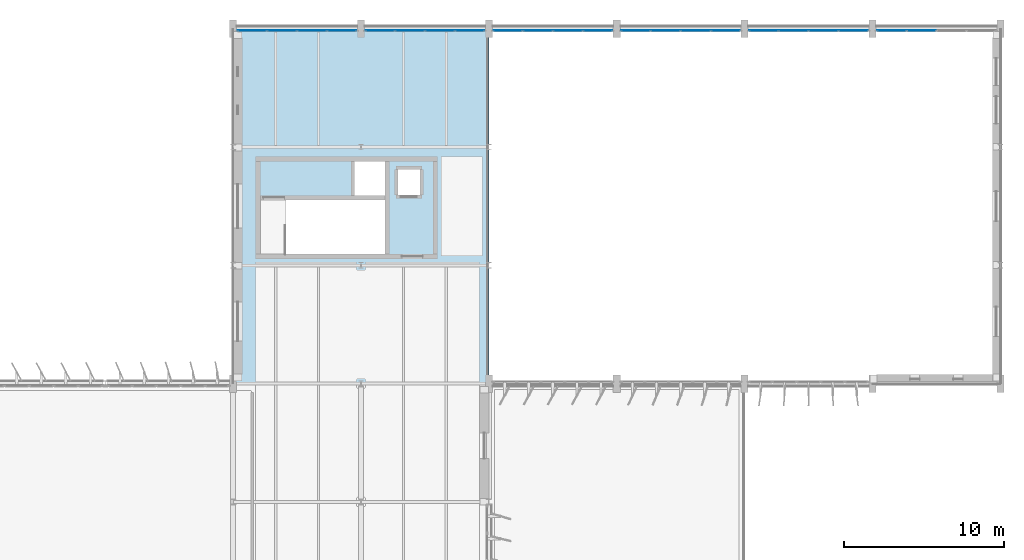
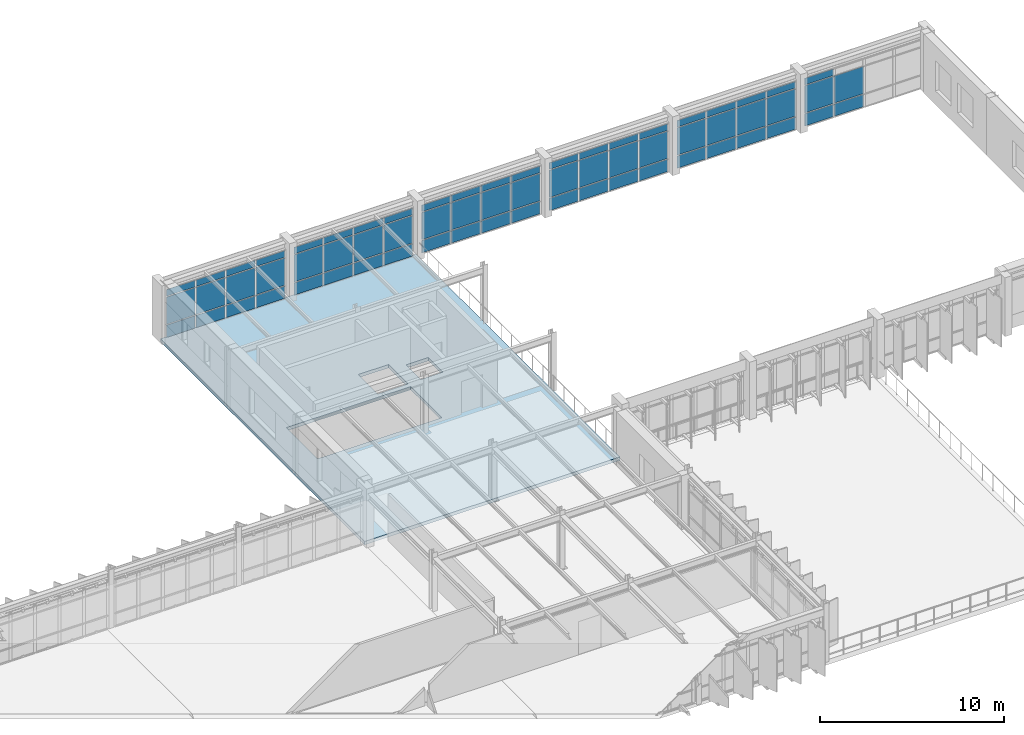
# One storey, part 30 of 45: 65 plates, 1 slab, 6 elements without a shape of their own.
"""IFC4 building model written with IfcOpenShell, lengths in metres."""

import ifcopenshell
import ifcopenshell.guid

model = None  # the IFC model being written
_history = None  # IfcOwnerHistory: only IFC2X3 demands one
_inside = {}  # id of a spatial element -> (the spatial element, [elements in it])
_under = {}  # id of a project, library or spatial element -> (it, [spatial elements below it])
_declared = {}  # id of a project -> (the project, [libraries it declares])
_typed = {}  # id of a type object -> (the type object, [elements of that type])
_made_of = {}  # id of a material, layer set ... -> (it, [elements and type objects made of it])


def new_model(schema):
    """Start an empty IFC model of exactly this schema.

    Asked for "IFC4X3", IfcOpenShell would pick the latest addendum, in which some entities
    have other attributes; the version numbers below select the first issue.
    IFC2X3 requires an IfcOwnerHistory on every rooted entity: one is made here for all.
    """
    global model, _history
    if schema == "IFC4X3":
        model = ifcopenshell.file(schema_version=(4, 3, 0, 0))
    else:
        model = ifcopenshell.file(schema=schema)
    _inside.clear()
    _under.clear()
    _declared.clear()
    _typed.clear()
    _made_of.clear()
    _history = None
    if model.schema == "IFC2X3":
        org = make("IfcOrganization", Name="unknown")
        user = make(
            "IfcPersonAndOrganization",
            ThePerson=make("IfcPerson", FamilyName="unknown"),
            TheOrganization=org,
        )
        app = make(
            "IfcApplication",
            ApplicationDeveloper=org,
            Version="unknown",
            ApplicationFullName="unknown",
            ApplicationIdentifier="unknown",
        )
        _history = make(
            "IfcOwnerHistory",
            OwningUser=user,
            OwningApplication=app,
            ChangeAction="ADDED",
            CreationDate=0,
        )
    return model


def make(cls, **values):
    """One entity of the class cls with the attributes given. An attribute that is None is left unset."""
    return model.create_entity(
        cls, **{name: value for name, value in values.items() if value is not None}
    )


def rooted(cls, **values):
    """An entity with a GlobalId (a new one), such as an element, a storey or a relation."""
    return make(cls, GlobalId=ifcopenshell.guid.new(), OwnerHistory=_history, **values)


def si_unit(unit_type, name, prefix=None):
    """IfcSIUnit, for example si_unit("LENGTHUNIT", "METRE", prefix="MILLI")."""
    return make("IfcSIUnit", UnitType=unit_type, Prefix=prefix, Name=name)


def assignment(units):
    """IfcUnitAssignment: the units of a project."""
    return None if units is None else make("IfcUnitAssignment", Units=units)


def point(xyz):
    """IfcCartesianPoint."""
    return None if xyz is None else make("IfcCartesianPoint", Coordinates=xyz)


def direction(xyz):
    """IfcDirection."""
    return None if xyz is None else make("IfcDirection", DirectionRatios=xyz)


def frame(location, z_axis=None, x_axis=None):
    """IfcAxis2Placement3D, a coordinate frame: its origin and axes. An axis left out is left unset."""
    return make(
        "IfcAxis2Placement3D",
        Location=point(location),
        Axis=direction(z_axis),
        RefDirection=direction(x_axis),
    )


def frame_2d(location, x_axis=None):
    """IfcAxis2Placement2D, a coordinate frame in the plane: its origin and x axis."""
    return make(
        "IfcAxis2Placement2D", Location=point(location), RefDirection=direction(x_axis)
    )


def origin():
    """The frame at (0, 0, 0) with its axes left unset."""
    return frame((0.0, 0.0, 0.0))


def origin_2d():
    """The frame at (0, 0) in the plane with its x axis left unset."""
    return frame_2d((0.0, 0.0))


def place(relative_to, where):
    """IfcLocalPlacement: puts the frame where relative to a parent placement (None: the world)."""
    return make(
        "IfcLocalPlacement", PlacementRelTo=relative_to, RelativePlacement=where
    )


def context(
    kind, dimensions, precision=None, world=None, true_north=None, identifier=None
):
    """IfcGeometricRepresentationContext, for example the 3D "Model" context."""
    return make(
        "IfcGeometricRepresentationContext",
        ContextIdentifier=identifier,
        ContextType=kind,
        CoordinateSpaceDimension=dimensions,
        Precision=precision,
        WorldCoordinateSystem=world,
        TrueNorth=true_north,
    )


def subcontext(parent, identifier, kind, view, scale=None):
    """IfcGeometricRepresentationSubContext, for example "Body" below "Model"."""
    return make(
        "IfcGeometricRepresentationSubContext",
        ContextIdentifier=identifier,
        ContextType=kind,
        ParentContext=parent,
        TargetScale=scale,
        TargetView=view,
    )


def project(units=None, contexts=None):
    """IfcProject with its units and contexts."""
    return rooted(
        "IfcProject",
        Name="project",
        RepresentationContexts=contexts,
        UnitsInContext=assignment(units),
    )


def spatial(cls, under=None, at=None, **own):
    """A site, building, storey or space (cls), placed at a placement, below another one or the project."""
    s = rooted(cls, ObjectPlacement=at, **own)
    if under is not None:
        _under.setdefault(under.id(), (under, []))[1].append(s)
    return s


def polyline(points):
    """IfcPolyline through the points."""
    return make("IfcPolyline", Points=[point(p) for p in points])


def profile(cls, at=None, kind="AREA", **sizes):
    """A parametric profile (cls). Its sizes go by their IFC names, for example OverallWidth=200.0."""
    return make(cls, ProfileType=kind, Position=at, **sizes)


def rectangle(**sizes):
    """IfcRectangleProfileDef."""
    return profile("IfcRectangleProfileDef", **sizes)


def outline(outer, holes=None, kind="AREA"):
    """IfcArbitraryClosedProfileDef: a profile drawn as a closed curve; with holes, ...WithVoids."""
    if holes is None:
        return make("IfcArbitraryClosedProfileDef", ProfileType=kind, OuterCurve=outer)
    return make(
        "IfcArbitraryProfileDefWithVoids",
        ProfileType=kind,
        OuterCurve=outer,
        InnerCurves=holes,
    )


def extrude(swept, where, along, depth):
    """IfcExtrudedAreaSolid: the profile swept, set in the frame where, extruded along a direction by depth."""
    return make(
        "IfcExtrudedAreaSolid",
        SweptArea=swept,
        Position=where,
        ExtrudedDirection=direction(along),
        Depth=depth,
    )


def shape(context_of_items, identifier, shape_type, items):
    """IfcShapeRepresentation: the items that make up one representation, for example the "Body"."""
    return make(
        "IfcShapeRepresentation",
        ContextOfItems=context_of_items,
        RepresentationIdentifier=identifier,
        RepresentationType=shape_type,
        Items=items,
    )


def material(Name=None, Category=None):
    """IfcMaterial."""
    return make("IfcMaterial", Name=Name, Category=Category)


def layer(
    of_material, thickness, ventilated=None, Name=None, Category=None, Priority=None
):
    """IfcMaterialLayer: one layer of a wall or slab, of a material (None: an air gap)."""
    return make(
        "IfcMaterialLayer",
        Material=of_material,
        LayerThickness=thickness,
        IsVentilated=ventilated,
        Name=Name,
        Category=Category,
        Priority=Priority,
    )


def layer_set(layers, Name=None):
    """IfcMaterialLayerSet."""
    return make("IfcMaterialLayerSet", MaterialLayers=layers, LayerSetName=Name)


def made_of(thing, what):
    """Note that an element or type object is made of a material, layer set ...; save() writes the relation."""
    if what is not None:
        _made_of.setdefault(what.id(), (what, []))[1].append(thing)
    return thing


def type_object(cls, material=None, **own):
    """A type object (cls), such as IfcWallType, which elements share."""
    return made_of(rooted(cls, **own), material)


def element(
    cls,
    number,
    at=None,
    inside=None,
    cuts=None,
    type_object=None,
    material=None,
    context=None,
    identifier="Body",
    shape_type=None,
    held_by="IfcProductDefinitionShape",
    body=None,
    shapes=None,
    **own,
):
    """One element of the class cls, such as IfcWall. Its Tag is "e" and its number.

    at: its placement. inside: the storey or other place that contains it. cuts: it is an
    opening in that element (IfcRelVoidsElement). A single representation is given by context,
    identifier, shape_type and body (its items); several are given by shapes. held_by: the class
    of the entity that holds the representations. save() writes the other relations.
    """
    e = rooted(cls, Tag="e%d" % number, ObjectPlacement=at, **own)
    if body is not None:
        shapes = [shape(context, identifier, shape_type, body)]
    if shapes is not None:
        e.Representation = make(held_by, Representations=shapes)
    if inside is not None:
        _inside.setdefault(inside.id(), (inside, []))[1].append(e)
    if cuts is not None:
        rooted(
            "IfcRelVoidsElement", RelatingBuildingElement=cuts, RelatedOpeningElement=e
        )
    if type_object is not None:
        _typed.setdefault(type_object.id(), (type_object, []))[1].append(e)
    return made_of(e, material)


def aggregate(whole, parts):
    """IfcRelAggregates: a whole, such as a stair, and the parts it consists of."""
    return rooted("IfcRelAggregates", RelatingObject=whole, RelatedObjects=parts)


def save(model, path):
    """Write the relations noted so far, then the file.

    IfcRelAggregates (storeys below a building ...), IfcRelContainedInSpatialStructure (elements
    in a storey), IfcRelDefinesByType, IfcRelAssociatesMaterial and IfcRelDeclares: one each for
    every whole, place, type object, material and project.
    """
    for whole, parts in _under.values():
        aggregate(whole, parts)
    for where, things in _inside.values():
        rooted(
            "IfcRelContainedInSpatialStructure",
            RelatedElements=things,
            RelatingStructure=where,
        )
    for kind, things in _typed.values():
        rooted("IfcRelDefinesByType", RelatedObjects=things, RelatingType=kind)
    for what, things in _made_of.values():
        rooted("IfcRelAssociatesMaterial", RelatedObjects=things, RelatingMaterial=what)
    for by, libraries in _declared.values():
        rooted("IfcRelDeclares", RelatingContext=by, RelatedDefinitions=libraries)
    model.write(path)


model = new_model("IFC4")

# Units and contexts
model_context = context("Model", 3, precision=1e-05, world=origin(), true_north=direction((0.0, 1.0)))
body_context = subcontext(model_context, "Body", "Model", "MODEL_VIEW")
ifc_project = project(units=[si_unit("LENGTHUNIT", "METRE"), si_unit("AREAUNIT", "SQUARE_METRE"), si_unit("VOLUMEUNIT", "CUBIC_METRE"), si_unit("PLANEANGLEUNIT", "RADIAN"), si_unit("MASSUNIT", "GRAM", prefix="KILO")], contexts=[model_context])

# Site, building, storey
site_placement = place(None, origin())
site = spatial("IfcSite", under=ifc_project, at=site_placement, CompositionType="ELEMENT")
building_placement = place(site_placement, origin())
building = spatial("IfcBuilding", under=site, at=building_placement, Name="Valkorina Park Police Headquarters", CompositionType="ELEMENT")
storey_placement = place(building_placement, frame((0.0, 0.0, 23.300048828125)))
storey = spatial("IfcBuildingStorey", under=building, at=storey_placement, Name="L06", CompositionType="ELEMENT", Elevation=23.300048828125)

# Curtain wall, plates
ifc_material_1 = material(Name="Thermally broken aluminium AW-6060", Category="aluminium")
ifc_layer_1 = layer(ifc_material_1, 0.18994140625)
ifc_layer_set_1 = layer_set([ifc_layer_1], Name="Thermally broken aluminium AW-6060")
curtain_wall_type = type_object("IfcCurtainWallType", Name="CW-CMD-7530x3280", PredefinedType="NOTDEFINED", material=ifc_layer_set_1)
curtain_wall_1_placement = place(storey_placement, origin())
curtain_wall_1 = element("IfcCurtainWall", 1, at=curtain_wall_1_placement, inside=storey, type_object=curtain_wall_type, Name="L06 Unitised Curtain Wall 110", PredefinedType="NOTDEFINED")
ifc_layer_2 = layer(ifc_material_1, 0.050048828125)
ifc_layer_set_2 = layer_set([ifc_layer_2], Name="Thermally broken aluminium AW-6060")
plate_type_1 = type_object("IfcPlateType", Name="PL-CWP-SPANDREL-50", PredefinedType="CURTAIN_PANEL", material=ifc_layer_set_2)
plate_1_placement = place(storey_placement, frame((81.9912109375, 81.280029296875, 0.059814453125), z_axis=(0.0, 0.0, 1.0), x_axis=(1.0, 0.0, 0.0)))
plate_1 = element("IfcPlate", 2, at=plate_1_placement, type_object=plate_type_1, Name="CW-CMD-753-328 panel 1.1", PredefinedType="CURTAIN_PANEL", context=body_context, shape_type="SweptSolid", body=[
    extrude(rectangle(XDim=1.79248046875, YDim=0.028076171875, at=origin_2d()), origin(), (0.0, 0.0, 1.0), 0.81005859375),
])
plate_2_placement = place(storey_placement, frame((83.858642578125, 81.280029296875, 0.059814453125), z_axis=(0.0, 0.0, 1.0), x_axis=(1.0, 0.0, 0.0)))
plate_2 = element("IfcPlate", 3, at=plate_2_placement, type_object=plate_type_1, Name="CW-CMD-753-328 panel 2.1", PredefinedType="CURTAIN_PANEL", context=body_context, shape_type="SweptSolid", body=[
    extrude(rectangle(XDim=1.822509765625, YDim=0.028076171875, at=origin_2d()), origin(), (0.0, 0.0, 1.0), 0.81005859375),
])
plate_3_placement = place(storey_placement, frame((85.7412109375, 81.280029296875, 0.059814453125), z_axis=(0.0, 0.0, 1.0), x_axis=(1.0, 0.0, 0.0)))
plate_3 = element("IfcPlate", 4, at=plate_3_placement, type_object=plate_type_1, Name="CW-CMD-753-328 panel 3.1", PredefinedType="CURTAIN_PANEL", context=body_context, shape_type="SweptSolid", body=[
    extrude(rectangle(XDim=1.822509765625, YDim=0.028076171875, at=origin_2d()), origin(), (0.0, 0.0, 1.0), 0.81005859375),
])
plate_4_placement = place(storey_placement, frame((87.608642578125, 81.280029296875, 0.059814453125), z_axis=(0.0, 0.0, 1.0), x_axis=(1.0, 0.0, 0.0)))
plate_4 = element("IfcPlate", 5, at=plate_4_placement, type_object=plate_type_1, Name="CW-CMD-753-328 panel 4.1", PredefinedType="CURTAIN_PANEL", context=body_context, shape_type="SweptSolid", body=[
    extrude(rectangle(XDim=1.79248046875, YDim=0.028076171875, at=origin_2d()), origin(), (0.0, 0.0, 1.0), 0.81005859375),
])

curtain_wall_2_placement = place(storey_placement, origin())
curtain_wall_2 = element("IfcCurtainWall", 6, at=curtain_wall_2_placement, inside=storey, type_object=curtain_wall_type, Name="L06 Unitised Curtain Wall 111", PredefinedType="NOTDEFINED")
plate_5_placement = place(storey_placement, frame((89.9912109375, 81.280029296875, 0.059814453125), z_axis=(0.0, 0.0, 1.0), x_axis=(1.0, 0.0, 0.0)))
plate_5 = element("IfcPlate", 7, at=plate_5_placement, type_object=plate_type_1, Name="CW-CMD-753-328 panel 1.1", PredefinedType="CURTAIN_PANEL", context=body_context, shape_type="SweptSolid", body=[
    extrude(rectangle(XDim=1.79248046875, YDim=0.028076171875, at=origin_2d()), origin(), (0.0, 0.0, 1.0), 0.81005859375),
])
plate_6_placement = place(storey_placement, frame((91.858642578125, 81.280029296875, 0.059814453125), z_axis=(0.0, 0.0, 1.0), x_axis=(1.0, 0.0, 0.0)))
plate_6 = element("IfcPlate", 8, at=plate_6_placement, type_object=plate_type_1, Name="CW-CMD-753-328 panel 2.1", PredefinedType="CURTAIN_PANEL", context=body_context, shape_type="SweptSolid", body=[
    extrude(rectangle(XDim=1.822509765625, YDim=0.028076171875, at=origin_2d()), origin(), (0.0, 0.0, 1.0), 0.81005859375),
])
plate_7_placement = place(storey_placement, frame((93.7412109375, 81.280029296875, 0.059814453125), z_axis=(0.0, 0.0, 1.0), x_axis=(1.0, 0.0, 0.0)))
plate_7 = element("IfcPlate", 9, at=plate_7_placement, type_object=plate_type_1, Name="CW-CMD-753-328 panel 3.1", PredefinedType="CURTAIN_PANEL", context=body_context, shape_type="SweptSolid", body=[
    extrude(rectangle(XDim=1.822509765625, YDim=0.028076171875, at=origin_2d()), origin(), (0.0, 0.0, 1.0), 0.81005859375),
])
plate_8_placement = place(storey_placement, frame((95.608642578125, 81.280029296875, 0.059814453125), z_axis=(0.0, 0.0, 1.0), x_axis=(1.0, 0.0, 0.0)))
plate_8 = element("IfcPlate", 10, at=plate_8_placement, type_object=plate_type_1, Name="CW-CMD-753-328 panel 4.1", PredefinedType="CURTAIN_PANEL", context=body_context, shape_type="SweptSolid", body=[
    extrude(rectangle(XDim=1.79248046875, YDim=0.028076171875, at=origin_2d()), origin(), (0.0, 0.0, 1.0), 0.81005859375),
])

curtain_wall_3_placement = place(storey_placement, origin())
curtain_wall_3 = element("IfcCurtainWall", 11, at=curtain_wall_3_placement, inside=storey, type_object=curtain_wall_type, Name="L06 Unitised Curtain Wall 112", PredefinedType="NOTDEFINED")
plate_9_placement = place(storey_placement, frame((97.9912109375, 81.280029296875, 0.059814453125), z_axis=(0.0, 0.0, 1.0), x_axis=(1.0, 0.0, 0.0)))
plate_9 = element("IfcPlate", 12, at=plate_9_placement, type_object=plate_type_1, Name="CW-CMD-753-328 panel 1.1", PredefinedType="CURTAIN_PANEL", context=body_context, shape_type="SweptSolid", body=[
    extrude(rectangle(XDim=1.79248046875, YDim=0.028076171875, at=origin_2d()), origin(), (0.0, 0.0, 1.0), 0.81005859375),
])
plate_10_placement = place(storey_placement, frame((99.858642578125, 81.280029296875, 0.059814453125), z_axis=(0.0, 0.0, 1.0), x_axis=(1.0, 0.0, 0.0)))
plate_10 = element("IfcPlate", 13, at=plate_10_placement, type_object=plate_type_1, Name="CW-CMD-753-328 panel 2.1", PredefinedType="CURTAIN_PANEL", context=body_context, shape_type="SweptSolid", body=[
    extrude(rectangle(XDim=1.822509765625, YDim=0.028076171875, at=origin_2d()), origin(), (0.0, 0.0, 1.0), 0.81005859375),
])
plate_11_placement = place(storey_placement, frame((101.7412109375, 81.280029296875, 0.059814453125), z_axis=(0.0, 0.0, 1.0), x_axis=(1.0, 0.0, 0.0)))
plate_11 = element("IfcPlate", 14, at=plate_11_placement, type_object=plate_type_1, Name="CW-CMD-753-328 panel 3.1", PredefinedType="CURTAIN_PANEL", context=body_context, shape_type="SweptSolid", body=[
    extrude(rectangle(XDim=1.822509765625, YDim=0.028076171875, at=origin_2d()), origin(), (0.0, 0.0, 1.0), 0.81005859375),
])
plate_12_placement = place(storey_placement, frame((103.608642578125, 81.280029296875, 0.059814453125), z_axis=(0.0, 0.0, 1.0), x_axis=(1.0, 0.0, 0.0)))
plate_12 = element("IfcPlate", 15, at=plate_12_placement, type_object=plate_type_1, Name="CW-CMD-753-328 panel 4.1", PredefinedType="CURTAIN_PANEL", context=body_context, shape_type="SweptSolid", body=[
    extrude(rectangle(XDim=1.79248046875, YDim=0.028076171875, at=origin_2d()), origin(), (0.0, 0.0, 1.0), 0.81005859375),
])

curtain_wall_4_placement = place(storey_placement, origin())
curtain_wall_4 = element("IfcCurtainWall", 16, at=curtain_wall_4_placement, inside=storey, type_object=curtain_wall_type, Name="L06 Unitised Curtain Wall 113", PredefinedType="NOTDEFINED")
plate_13_placement = place(storey_placement, frame((105.9912109375, 81.280029296875, 0.059814453125), z_axis=(0.0, 0.0, 1.0), x_axis=(1.0, 0.0, 0.0)))
plate_13 = element("IfcPlate", 17, at=plate_13_placement, type_object=plate_type_1, Name="CW-CMD-753-328 panel 1.1", PredefinedType="CURTAIN_PANEL", context=body_context, shape_type="SweptSolid", body=[
    extrude(rectangle(XDim=1.79248046875, YDim=0.028076171875, at=origin_2d()), origin(), (0.0, 0.0, 1.0), 0.81005859375),
])
plate_14_placement = place(storey_placement, frame((107.858642578125, 81.280029296875, 0.059814453125), z_axis=(0.0, 0.0, 1.0), x_axis=(1.0, 0.0, 0.0)))
plate_14 = element("IfcPlate", 18, at=plate_14_placement, type_object=plate_type_1, Name="CW-CMD-753-328 panel 2.1", PredefinedType="CURTAIN_PANEL", context=body_context, shape_type="SweptSolid", body=[
    extrude(rectangle(XDim=1.822509765625, YDim=0.028076171875, at=origin_2d()), origin(), (0.0, 0.0, 1.0), 0.81005859375),
])
plate_15_placement = place(storey_placement, frame((109.7412109375, 81.280029296875, 0.059814453125), z_axis=(0.0, 0.0, 1.0), x_axis=(1.0, 0.0, 0.0)))
plate_15 = element("IfcPlate", 19, at=plate_15_placement, type_object=plate_type_1, Name="CW-CMD-753-328 panel 3.1", PredefinedType="CURTAIN_PANEL", context=body_context, shape_type="SweptSolid", body=[
    extrude(rectangle(XDim=1.822509765625, YDim=0.028076171875, at=origin_2d()), origin(), (0.0, 0.0, 1.0), 0.81005859375),
])
plate_16_placement = place(storey_placement, frame((111.608642578125, 81.280029296875, 0.059814453125), z_axis=(0.0, 0.0, 1.0), x_axis=(1.0, 0.0, 0.0)))
plate_16 = element("IfcPlate", 20, at=plate_16_placement, type_object=plate_type_1, Name="CW-CMD-753-328 panel 4.1", PredefinedType="CURTAIN_PANEL", context=body_context, shape_type="SweptSolid", body=[
    extrude(rectangle(XDim=1.79248046875, YDim=0.028076171875, at=origin_2d()), origin(), (0.0, 0.0, 1.0), 0.81005859375),
])

curtain_wall_5_placement = place(storey_placement, origin())
curtain_wall_5 = element("IfcCurtainWall", 21, at=curtain_wall_5_placement, inside=storey, type_object=curtain_wall_type, Name="L06 Unitised Curtain Wall 114", PredefinedType="NOTDEFINED")
plate_17_placement = place(storey_placement, frame((113.9912109375, 81.280029296875, 0.059814453125), z_axis=(0.0, 0.0, 1.0), x_axis=(1.0, 0.0, 0.0)))
plate_17 = element("IfcPlate", 22, at=plate_17_placement, type_object=plate_type_1, Name="CW-CMD-753-328 panel 1.1", PredefinedType="CURTAIN_PANEL", context=body_context, shape_type="SweptSolid", body=[
    extrude(rectangle(XDim=1.79248046875, YDim=0.028076171875, at=origin_2d()), origin(), (0.0, 0.0, 1.0), 0.81005859375),
])
plate_18_placement = place(storey_placement, frame((115.858642578125, 81.280029296875, 0.059814453125), z_axis=(0.0, 0.0, 1.0), x_axis=(1.0, 0.0, 0.0)))
plate_18 = element("IfcPlate", 23, at=plate_18_placement, type_object=plate_type_1, Name="CW-CMD-753-328 panel 2.1", PredefinedType="CURTAIN_PANEL", context=body_context, shape_type="SweptSolid", body=[
    extrude(rectangle(XDim=1.822509765625, YDim=0.028076171875, at=origin_2d()), origin(), (0.0, 0.0, 1.0), 0.81005859375),
])
plate_19_placement = place(storey_placement, frame((117.7412109375, 81.280029296875, 0.059814453125), z_axis=(0.0, 0.0, 1.0), x_axis=(1.0, 0.0, 0.0)))
plate_19 = element("IfcPlate", 24, at=plate_19_placement, type_object=plate_type_1, Name="CW-CMD-753-328 panel 3.1", PredefinedType="CURTAIN_PANEL", context=body_context, shape_type="SweptSolid", body=[
    extrude(rectangle(XDim=1.822509765625, YDim=0.028076171875, at=origin_2d()), origin(), (0.0, 0.0, 1.0), 0.81005859375),
])
plate_20_placement = place(storey_placement, frame((119.608642578125, 81.280029296875, 0.059814453125), z_axis=(0.0, 0.0, 1.0), x_axis=(1.0, 0.0, 0.0)))
plate_20 = element("IfcPlate", 25, at=plate_20_placement, type_object=plate_type_1, Name="CW-CMD-753-328 panel 4.1", PredefinedType="CURTAIN_PANEL", context=body_context, shape_type="SweptSolid", body=[
    extrude(rectangle(XDim=1.79248046875, YDim=0.028076171875, at=origin_2d()), origin(), (0.0, 0.0, 1.0), 0.81005859375),
])

curtain_wall_6_placement = place(storey_placement, origin())
curtain_wall_6 = element("IfcCurtainWall", 26, at=curtain_wall_6_placement, inside=storey, type_object=curtain_wall_type, Name="L06 Unitised Curtain Wall 115", PredefinedType="NOTDEFINED")
plate_21_placement = place(storey_placement, frame((121.9912109375, 81.280029296875, 0.059814453125), z_axis=(0.0, 0.0, 1.0), x_axis=(1.0, 0.0, 0.0)))
plate_21 = element("IfcPlate", 27, at=plate_21_placement, type_object=plate_type_1, Name="CW-CMD-753-328 panel 1.1", PredefinedType="CURTAIN_PANEL", context=body_context, shape_type="SweptSolid", body=[
    extrude(rectangle(XDim=1.79248046875, YDim=0.028076171875, at=origin_2d()), origin(), (0.0, 0.0, 1.0), 0.81005859375),
])
plate_22_placement = place(storey_placement, frame((123.858642578125, 81.280029296875, 0.059814453125), z_axis=(0.0, 0.0, 1.0), x_axis=(1.0, 0.0, 0.0)))
plate_22 = element("IfcPlate", 28, at=plate_22_placement, type_object=plate_type_1, Name="CW-CMD-753-328 panel 2.1", PredefinedType="CURTAIN_PANEL", context=body_context, shape_type="SweptSolid", body=[
    extrude(rectangle(XDim=1.822509765625, YDim=0.028076171875, at=origin_2d()), origin(), (0.0, 0.0, 1.0), 0.81005859375),
])

# Plate
ifc_material_2 = material(Name="Triple low-E insulated glazing", Category="glass")
ifc_layer_3 = layer(ifc_material_2, 0.028076171875)
ifc_layer_set_3 = layer_set([ifc_layer_3], Name="Triple low-E insulated glazing")
plate_type_2 = type_object("IfcPlateType", Name="PL-CWP-VISION-28", PredefinedType="CURTAIN_PANEL", material=ifc_layer_set_3)
plate_23_placement = place(storey_placement, frame((81.9912109375, 81.280029296875, 0.9296875), z_axis=(0.0, 0.0, 1.0), x_axis=(1.0, 0.0, 0.0)))
plate_23 = element("IfcPlate", 29, at=plate_23_placement, type_object=plate_type_2, Name="CW-CMD-753-328 panel 1.2", PredefinedType="CURTAIN_PANEL", context=body_context, shape_type="SweptSolid", body=[
    extrude(rectangle(XDim=1.79248046875, YDim=0.028076171875, at=origin_2d()), origin(), (0.0, 0.0, 1.0), 1.800048828125),
])

plate_24_placement = place(storey_placement, frame((81.9912109375, 81.280029296875, 2.7900390625), z_axis=(0.0, 0.0, 1.0), x_axis=(1.0, 0.0, 0.0)))
plate_24 = element("IfcPlate", 30, at=plate_24_placement, type_object=plate_type_2, Name="CW-CMD-753-328 panel 1.3", PredefinedType="CURTAIN_PANEL", context=body_context, shape_type="SweptSolid", body=[
    extrude(rectangle(XDim=1.79248046875, YDim=0.028076171875, at=origin_2d()), origin(), (0.0, 0.0, 1.0), 0.429931640625),
])

plate_25_placement = place(storey_placement, frame((83.858642578125, 81.280029296875, 0.9296875), z_axis=(0.0, 0.0, 1.0), x_axis=(1.0, 0.0, 0.0)))
plate_25 = element("IfcPlate", 31, at=plate_25_placement, type_object=plate_type_2, Name="CW-CMD-753-328 panel 2.2", PredefinedType="CURTAIN_PANEL", context=body_context, shape_type="SweptSolid", body=[
    extrude(rectangle(XDim=1.822509765625, YDim=0.028076171875, at=origin_2d()), origin(), (0.0, 0.0, 1.0), 1.800048828125),
])

plate_26_placement = place(storey_placement, frame((83.858642578125, 81.280029296875, 2.7900390625), z_axis=(0.0, 0.0, 1.0), x_axis=(1.0, 0.0, 0.0)))
plate_26 = element("IfcPlate", 32, at=plate_26_placement, type_object=plate_type_2, Name="CW-CMD-753-328 panel 2.3", PredefinedType="CURTAIN_PANEL", context=body_context, shape_type="SweptSolid", body=[
    extrude(rectangle(XDim=1.822509765625, YDim=0.028076171875, at=origin_2d()), origin(), (0.0, 0.0, 1.0), 0.429931640625),
])

plate_27_placement = place(storey_placement, frame((85.7412109375, 81.280029296875, 0.9296875), z_axis=(0.0, 0.0, 1.0), x_axis=(1.0, 0.0, 0.0)))
plate_27 = element("IfcPlate", 33, at=plate_27_placement, type_object=plate_type_2, Name="CW-CMD-753-328 panel 3.2", PredefinedType="CURTAIN_PANEL", context=body_context, shape_type="SweptSolid", body=[
    extrude(rectangle(XDim=1.822509765625, YDim=0.028076171875, at=origin_2d()), origin(), (0.0, 0.0, 1.0), 1.800048828125),
])

plate_28_placement = place(storey_placement, frame((85.7412109375, 81.280029296875, 2.7900390625), z_axis=(0.0, 0.0, 1.0), x_axis=(1.0, 0.0, 0.0)))
plate_28 = element("IfcPlate", 34, at=plate_28_placement, type_object=plate_type_2, Name="CW-CMD-753-328 panel 3.3", PredefinedType="CURTAIN_PANEL", context=body_context, shape_type="SweptSolid", body=[
    extrude(rectangle(XDim=1.822509765625, YDim=0.028076171875, at=origin_2d()), origin(), (0.0, 0.0, 1.0), 0.429931640625),
])

plate_29_placement = place(storey_placement, frame((87.608642578125, 81.280029296875, 0.9296875), z_axis=(0.0, 0.0, 1.0), x_axis=(1.0, 0.0, 0.0)))
plate_29 = element("IfcPlate", 35, at=plate_29_placement, type_object=plate_type_2, Name="CW-CMD-753-328 panel 4.2", PredefinedType="CURTAIN_PANEL", context=body_context, shape_type="SweptSolid", body=[
    extrude(rectangle(XDim=1.79248046875, YDim=0.028076171875, at=origin_2d()), origin(), (0.0, 0.0, 1.0), 1.800048828125),
])

plate_30_placement = place(storey_placement, frame((87.608642578125, 81.280029296875, 2.7900390625), z_axis=(0.0, 0.0, 1.0), x_axis=(1.0, 0.0, 0.0)))
plate_30 = element("IfcPlate", 36, at=plate_30_placement, type_object=plate_type_2, Name="CW-CMD-753-328 panel 4.3", PredefinedType="CURTAIN_PANEL", context=body_context, shape_type="SweptSolid", body=[
    extrude(rectangle(XDim=1.79248046875, YDim=0.028076171875, at=origin_2d()), origin(), (0.0, 0.0, 1.0), 0.429931640625),
])

aggregate(curtain_wall_1, [plate_1, plate_23, plate_24, plate_2, plate_25, plate_26, plate_3, plate_27, plate_28, plate_4, plate_29, plate_30])

plate_31_placement = place(storey_placement, frame((89.9912109375, 81.280029296875, 0.9296875), z_axis=(0.0, 0.0, 1.0), x_axis=(1.0, 0.0, 0.0)))
plate_31 = element("IfcPlate", 37, at=plate_31_placement, type_object=plate_type_2, Name="CW-CMD-753-328 panel 1.2", PredefinedType="CURTAIN_PANEL", context=body_context, shape_type="SweptSolid", body=[
    extrude(rectangle(XDim=1.79248046875, YDim=0.028076171875, at=origin_2d()), origin(), (0.0, 0.0, 1.0), 1.800048828125),
])

plate_32_placement = place(storey_placement, frame((89.9912109375, 81.280029296875, 2.7900390625), z_axis=(0.0, 0.0, 1.0), x_axis=(1.0, 0.0, 0.0)))
plate_32 = element("IfcPlate", 38, at=plate_32_placement, type_object=plate_type_2, Name="CW-CMD-753-328 panel 1.3", PredefinedType="CURTAIN_PANEL", context=body_context, shape_type="SweptSolid", body=[
    extrude(rectangle(XDim=1.79248046875, YDim=0.028076171875, at=origin_2d()), origin(), (0.0, 0.0, 1.0), 0.429931640625),
])

plate_33_placement = place(storey_placement, frame((91.858642578125, 81.280029296875, 0.9296875), z_axis=(0.0, 0.0, 1.0), x_axis=(1.0, 0.0, 0.0)))
plate_33 = element("IfcPlate", 39, at=plate_33_placement, type_object=plate_type_2, Name="CW-CMD-753-328 panel 2.2", PredefinedType="CURTAIN_PANEL", context=body_context, shape_type="SweptSolid", body=[
    extrude(rectangle(XDim=1.822509765625, YDim=0.028076171875, at=origin_2d()), origin(), (0.0, 0.0, 1.0), 1.800048828125),
])

plate_34_placement = place(storey_placement, frame((91.858642578125, 81.280029296875, 2.7900390625), z_axis=(0.0, 0.0, 1.0), x_axis=(1.0, 0.0, 0.0)))
plate_34 = element("IfcPlate", 40, at=plate_34_placement, type_object=plate_type_2, Name="CW-CMD-753-328 panel 2.3", PredefinedType="CURTAIN_PANEL", context=body_context, shape_type="SweptSolid", body=[
    extrude(rectangle(XDim=1.822509765625, YDim=0.028076171875, at=origin_2d()), origin(), (0.0, 0.0, 1.0), 0.429931640625),
])

plate_35_placement = place(storey_placement, frame((93.7412109375, 81.280029296875, 0.9296875), z_axis=(0.0, 0.0, 1.0), x_axis=(1.0, 0.0, 0.0)))
plate_35 = element("IfcPlate", 41, at=plate_35_placement, type_object=plate_type_2, Name="CW-CMD-753-328 panel 3.2", PredefinedType="CURTAIN_PANEL", context=body_context, shape_type="SweptSolid", body=[
    extrude(rectangle(XDim=1.822509765625, YDim=0.028076171875, at=origin_2d()), origin(), (0.0, 0.0, 1.0), 1.800048828125),
])

plate_36_placement = place(storey_placement, frame((93.7412109375, 81.280029296875, 2.7900390625), z_axis=(0.0, 0.0, 1.0), x_axis=(1.0, 0.0, 0.0)))
plate_36 = element("IfcPlate", 42, at=plate_36_placement, type_object=plate_type_2, Name="CW-CMD-753-328 panel 3.3", PredefinedType="CURTAIN_PANEL", context=body_context, shape_type="SweptSolid", body=[
    extrude(rectangle(XDim=1.822509765625, YDim=0.028076171875, at=origin_2d()), origin(), (0.0, 0.0, 1.0), 0.429931640625),
])

plate_37_placement = place(storey_placement, frame((95.608642578125, 81.280029296875, 0.9296875), z_axis=(0.0, 0.0, 1.0), x_axis=(1.0, 0.0, 0.0)))
plate_37 = element("IfcPlate", 43, at=plate_37_placement, type_object=plate_type_2, Name="CW-CMD-753-328 panel 4.2", PredefinedType="CURTAIN_PANEL", context=body_context, shape_type="SweptSolid", body=[
    extrude(rectangle(XDim=1.79248046875, YDim=0.028076171875, at=origin_2d()), origin(), (0.0, 0.0, 1.0), 1.800048828125),
])

plate_38_placement = place(storey_placement, frame((95.608642578125, 81.280029296875, 2.7900390625), z_axis=(0.0, 0.0, 1.0), x_axis=(1.0, 0.0, 0.0)))
plate_38 = element("IfcPlate", 44, at=plate_38_placement, type_object=plate_type_2, Name="CW-CMD-753-328 panel 4.3", PredefinedType="CURTAIN_PANEL", context=body_context, shape_type="SweptSolid", body=[
    extrude(rectangle(XDim=1.79248046875, YDim=0.028076171875, at=origin_2d()), origin(), (0.0, 0.0, 1.0), 0.429931640625),
])

aggregate(curtain_wall_2, [plate_5, plate_31, plate_32, plate_6, plate_33, plate_34, plate_7, plate_35, plate_36, plate_8, plate_37, plate_38])

plate_39_placement = place(storey_placement, frame((97.9912109375, 81.280029296875, 0.9296875), z_axis=(0.0, 0.0, 1.0), x_axis=(1.0, 0.0, 0.0)))
plate_39 = element("IfcPlate", 45, at=plate_39_placement, type_object=plate_type_2, Name="CW-CMD-753-328 panel 1.2", PredefinedType="CURTAIN_PANEL", context=body_context, shape_type="SweptSolid", body=[
    extrude(rectangle(XDim=1.79248046875, YDim=0.028076171875, at=origin_2d()), origin(), (0.0, 0.0, 1.0), 1.800048828125),
])

plate_40_placement = place(storey_placement, frame((97.9912109375, 81.280029296875, 2.7900390625), z_axis=(0.0, 0.0, 1.0), x_axis=(1.0, 0.0, 0.0)))
plate_40 = element("IfcPlate", 46, at=plate_40_placement, type_object=plate_type_2, Name="CW-CMD-753-328 panel 1.3", PredefinedType="CURTAIN_PANEL", context=body_context, shape_type="SweptSolid", body=[
    extrude(rectangle(XDim=1.79248046875, YDim=0.028076171875, at=origin_2d()), origin(), (0.0, 0.0, 1.0), 0.429931640625),
])

plate_41_placement = place(storey_placement, frame((99.858642578125, 81.280029296875, 0.9296875), z_axis=(0.0, 0.0, 1.0), x_axis=(1.0, 0.0, 0.0)))
plate_41 = element("IfcPlate", 47, at=plate_41_placement, type_object=plate_type_2, Name="CW-CMD-753-328 panel 2.2", PredefinedType="CURTAIN_PANEL", context=body_context, shape_type="SweptSolid", body=[
    extrude(rectangle(XDim=1.822509765625, YDim=0.028076171875, at=origin_2d()), origin(), (0.0, 0.0, 1.0), 1.800048828125),
])

plate_42_placement = place(storey_placement, frame((99.858642578125, 81.280029296875, 2.7900390625), z_axis=(0.0, 0.0, 1.0), x_axis=(1.0, 0.0, 0.0)))
plate_42 = element("IfcPlate", 48, at=plate_42_placement, type_object=plate_type_2, Name="CW-CMD-753-328 panel 2.3", PredefinedType="CURTAIN_PANEL", context=body_context, shape_type="SweptSolid", body=[
    extrude(rectangle(XDim=1.822509765625, YDim=0.028076171875, at=origin_2d()), origin(), (0.0, 0.0, 1.0), 0.429931640625),
])

plate_43_placement = place(storey_placement, frame((101.7412109375, 81.280029296875, 0.9296875), z_axis=(0.0, 0.0, 1.0), x_axis=(1.0, 0.0, 0.0)))
plate_43 = element("IfcPlate", 49, at=plate_43_placement, type_object=plate_type_2, Name="CW-CMD-753-328 panel 3.2", PredefinedType="CURTAIN_PANEL", context=body_context, shape_type="SweptSolid", body=[
    extrude(rectangle(XDim=1.822509765625, YDim=0.028076171875, at=origin_2d()), origin(), (0.0, 0.0, 1.0), 1.800048828125),
])

plate_44_placement = place(storey_placement, frame((101.7412109375, 81.280029296875, 2.7900390625), z_axis=(0.0, 0.0, 1.0), x_axis=(1.0, 0.0, 0.0)))
plate_44 = element("IfcPlate", 50, at=plate_44_placement, type_object=plate_type_2, Name="CW-CMD-753-328 panel 3.3", PredefinedType="CURTAIN_PANEL", context=body_context, shape_type="SweptSolid", body=[
    extrude(rectangle(XDim=1.822509765625, YDim=0.028076171875, at=origin_2d()), origin(), (0.0, 0.0, 1.0), 0.429931640625),
])

plate_45_placement = place(storey_placement, frame((103.608642578125, 81.280029296875, 0.9296875), z_axis=(0.0, 0.0, 1.0), x_axis=(1.0, 0.0, 0.0)))
plate_45 = element("IfcPlate", 51, at=plate_45_placement, type_object=plate_type_2, Name="CW-CMD-753-328 panel 4.2", PredefinedType="CURTAIN_PANEL", context=body_context, shape_type="SweptSolid", body=[
    extrude(rectangle(XDim=1.79248046875, YDim=0.028076171875, at=origin_2d()), origin(), (0.0, 0.0, 1.0), 1.800048828125),
])

plate_46_placement = place(storey_placement, frame((103.608642578125, 81.280029296875, 2.7900390625), z_axis=(0.0, 0.0, 1.0), x_axis=(1.0, 0.0, 0.0)))
plate_46 = element("IfcPlate", 52, at=plate_46_placement, type_object=plate_type_2, Name="CW-CMD-753-328 panel 4.3", PredefinedType="CURTAIN_PANEL", context=body_context, shape_type="SweptSolid", body=[
    extrude(rectangle(XDim=1.79248046875, YDim=0.028076171875, at=origin_2d()), origin(), (0.0, 0.0, 1.0), 0.429931640625),
])

aggregate(curtain_wall_3, [plate_9, plate_39, plate_40, plate_10, plate_41, plate_42, plate_11, plate_43, plate_44, plate_12, plate_45, plate_46])

plate_47_placement = place(storey_placement, frame((105.9912109375, 81.280029296875, 0.9296875), z_axis=(0.0, 0.0, 1.0), x_axis=(1.0, 0.0, 0.0)))
plate_47 = element("IfcPlate", 53, at=plate_47_placement, type_object=plate_type_2, Name="CW-CMD-753-328 panel 1.2", PredefinedType="CURTAIN_PANEL", context=body_context, shape_type="SweptSolid", body=[
    extrude(rectangle(XDim=1.79248046875, YDim=0.028076171875, at=origin_2d()), origin(), (0.0, 0.0, 1.0), 1.800048828125),
])

plate_48_placement = place(storey_placement, frame((105.9912109375, 81.280029296875, 2.7900390625), z_axis=(0.0, 0.0, 1.0), x_axis=(1.0, 0.0, 0.0)))
plate_48 = element("IfcPlate", 54, at=plate_48_placement, type_object=plate_type_2, Name="CW-CMD-753-328 panel 1.3", PredefinedType="CURTAIN_PANEL", context=body_context, shape_type="SweptSolid", body=[
    extrude(rectangle(XDim=1.79248046875, YDim=0.028076171875, at=origin_2d()), origin(), (0.0, 0.0, 1.0), 0.429931640625),
])

plate_49_placement = place(storey_placement, frame((107.858642578125, 81.280029296875, 0.9296875), z_axis=(0.0, 0.0, 1.0), x_axis=(1.0, 0.0, 0.0)))
plate_49 = element("IfcPlate", 55, at=plate_49_placement, type_object=plate_type_2, Name="CW-CMD-753-328 panel 2.2", PredefinedType="CURTAIN_PANEL", context=body_context, shape_type="SweptSolid", body=[
    extrude(rectangle(XDim=1.822509765625, YDim=0.028076171875, at=origin_2d()), origin(), (0.0, 0.0, 1.0), 1.800048828125),
])

plate_50_placement = place(storey_placement, frame((107.858642578125, 81.280029296875, 2.7900390625), z_axis=(0.0, 0.0, 1.0), x_axis=(1.0, 0.0, 0.0)))
plate_50 = element("IfcPlate", 56, at=plate_50_placement, type_object=plate_type_2, Name="CW-CMD-753-328 panel 2.3", PredefinedType="CURTAIN_PANEL", context=body_context, shape_type="SweptSolid", body=[
    extrude(rectangle(XDim=1.822509765625, YDim=0.028076171875, at=origin_2d()), origin(), (0.0, 0.0, 1.0), 0.429931640625),
])

plate_51_placement = place(storey_placement, frame((109.7412109375, 81.280029296875, 0.9296875), z_axis=(0.0, 0.0, 1.0), x_axis=(1.0, 0.0, 0.0)))
plate_51 = element("IfcPlate", 57, at=plate_51_placement, type_object=plate_type_2, Name="CW-CMD-753-328 panel 3.2", PredefinedType="CURTAIN_PANEL", context=body_context, shape_type="SweptSolid", body=[
    extrude(rectangle(XDim=1.822509765625, YDim=0.028076171875, at=origin_2d()), origin(), (0.0, 0.0, 1.0), 1.800048828125),
])

plate_52_placement = place(storey_placement, frame((109.7412109375, 81.280029296875, 2.7900390625), z_axis=(0.0, 0.0, 1.0), x_axis=(1.0, 0.0, 0.0)))
plate_52 = element("IfcPlate", 58, at=plate_52_placement, type_object=plate_type_2, Name="CW-CMD-753-328 panel 3.3", PredefinedType="CURTAIN_PANEL", context=body_context, shape_type="SweptSolid", body=[
    extrude(rectangle(XDim=1.822509765625, YDim=0.028076171875, at=origin_2d()), origin(), (0.0, 0.0, 1.0), 0.429931640625),
])

plate_53_placement = place(storey_placement, frame((111.608642578125, 81.280029296875, 0.9296875), z_axis=(0.0, 0.0, 1.0), x_axis=(1.0, 0.0, 0.0)))
plate_53 = element("IfcPlate", 59, at=plate_53_placement, type_object=plate_type_2, Name="CW-CMD-753-328 panel 4.2", PredefinedType="CURTAIN_PANEL", context=body_context, shape_type="SweptSolid", body=[
    extrude(rectangle(XDim=1.79248046875, YDim=0.028076171875, at=origin_2d()), origin(), (0.0, 0.0, 1.0), 1.800048828125),
])

plate_54_placement = place(storey_placement, frame((111.608642578125, 81.280029296875, 2.7900390625), z_axis=(0.0, 0.0, 1.0), x_axis=(1.0, 0.0, 0.0)))
plate_54 = element("IfcPlate", 60, at=plate_54_placement, type_object=plate_type_2, Name="CW-CMD-753-328 panel 4.3", PredefinedType="CURTAIN_PANEL", context=body_context, shape_type="SweptSolid", body=[
    extrude(rectangle(XDim=1.79248046875, YDim=0.028076171875, at=origin_2d()), origin(), (0.0, 0.0, 1.0), 0.429931640625),
])

aggregate(curtain_wall_4, [plate_13, plate_47, plate_48, plate_14, plate_49, plate_50, plate_15, plate_51, plate_52, plate_16, plate_53, plate_54])

plate_55_placement = place(storey_placement, frame((113.9912109375, 81.280029296875, 0.9296875), z_axis=(0.0, 0.0, 1.0), x_axis=(1.0, 0.0, 0.0)))
plate_55 = element("IfcPlate", 61, at=plate_55_placement, type_object=plate_type_2, Name="CW-CMD-753-328 panel 1.2", PredefinedType="CURTAIN_PANEL", context=body_context, shape_type="SweptSolid", body=[
    extrude(rectangle(XDim=1.79248046875, YDim=0.028076171875, at=origin_2d()), origin(), (0.0, 0.0, 1.0), 1.800048828125),
])

plate_56_placement = place(storey_placement, frame((113.9912109375, 81.280029296875, 2.7900390625), z_axis=(0.0, 0.0, 1.0), x_axis=(1.0, 0.0, 0.0)))
plate_56 = element("IfcPlate", 62, at=plate_56_placement, type_object=plate_type_2, Name="CW-CMD-753-328 panel 1.3", PredefinedType="CURTAIN_PANEL", context=body_context, shape_type="SweptSolid", body=[
    extrude(rectangle(XDim=1.79248046875, YDim=0.028076171875, at=origin_2d()), origin(), (0.0, 0.0, 1.0), 0.429931640625),
])

plate_57_placement = place(storey_placement, frame((115.858642578125, 81.280029296875, 0.9296875), z_axis=(0.0, 0.0, 1.0), x_axis=(1.0, 0.0, 0.0)))
plate_57 = element("IfcPlate", 63, at=plate_57_placement, type_object=plate_type_2, Name="CW-CMD-753-328 panel 2.2", PredefinedType="CURTAIN_PANEL", context=body_context, shape_type="SweptSolid", body=[
    extrude(rectangle(XDim=1.822509765625, YDim=0.028076171875, at=origin_2d()), origin(), (0.0, 0.0, 1.0), 1.800048828125),
])

plate_58_placement = place(storey_placement, frame((115.858642578125, 81.280029296875, 2.7900390625), z_axis=(0.0, 0.0, 1.0), x_axis=(1.0, 0.0, 0.0)))
plate_58 = element("IfcPlate", 64, at=plate_58_placement, type_object=plate_type_2, Name="CW-CMD-753-328 panel 2.3", PredefinedType="CURTAIN_PANEL", context=body_context, shape_type="SweptSolid", body=[
    extrude(rectangle(XDim=1.822509765625, YDim=0.028076171875, at=origin_2d()), origin(), (0.0, 0.0, 1.0), 0.429931640625),
])

plate_59_placement = place(storey_placement, frame((117.7412109375, 81.280029296875, 0.9296875), z_axis=(0.0, 0.0, 1.0), x_axis=(1.0, 0.0, 0.0)))
plate_59 = element("IfcPlate", 65, at=plate_59_placement, type_object=plate_type_2, Name="CW-CMD-753-328 panel 3.2", PredefinedType="CURTAIN_PANEL", context=body_context, shape_type="SweptSolid", body=[
    extrude(rectangle(XDim=1.822509765625, YDim=0.028076171875, at=origin_2d()), origin(), (0.0, 0.0, 1.0), 1.800048828125),
])

plate_60_placement = place(storey_placement, frame((117.7412109375, 81.280029296875, 2.7900390625), z_axis=(0.0, 0.0, 1.0), x_axis=(1.0, 0.0, 0.0)))
plate_60 = element("IfcPlate", 66, at=plate_60_placement, type_object=plate_type_2, Name="CW-CMD-753-328 panel 3.3", PredefinedType="CURTAIN_PANEL", context=body_context, shape_type="SweptSolid", body=[
    extrude(rectangle(XDim=1.822509765625, YDim=0.028076171875, at=origin_2d()), origin(), (0.0, 0.0, 1.0), 0.429931640625),
])

plate_61_placement = place(storey_placement, frame((119.608642578125, 81.280029296875, 0.9296875), z_axis=(0.0, 0.0, 1.0), x_axis=(1.0, 0.0, 0.0)))
plate_61 = element("IfcPlate", 67, at=plate_61_placement, type_object=plate_type_2, Name="CW-CMD-753-328 panel 4.2", PredefinedType="CURTAIN_PANEL", context=body_context, shape_type="SweptSolid", body=[
    extrude(rectangle(XDim=1.79248046875, YDim=0.028076171875, at=origin_2d()), origin(), (0.0, 0.0, 1.0), 1.800048828125),
])

plate_62_placement = place(storey_placement, frame((119.608642578125, 81.280029296875, 2.7900390625), z_axis=(0.0, 0.0, 1.0), x_axis=(1.0, 0.0, 0.0)))
plate_62 = element("IfcPlate", 68, at=plate_62_placement, type_object=plate_type_2, Name="CW-CMD-753-328 panel 4.3", PredefinedType="CURTAIN_PANEL", context=body_context, shape_type="SweptSolid", body=[
    extrude(rectangle(XDim=1.79248046875, YDim=0.028076171875, at=origin_2d()), origin(), (0.0, 0.0, 1.0), 0.429931640625),
])

aggregate(curtain_wall_5, [plate_17, plate_55, plate_56, plate_18, plate_57, plate_58, plate_19, plate_59, plate_60, plate_20, plate_61, plate_62])

plate_63_placement = place(storey_placement, frame((121.9912109375, 81.280029296875, 0.9296875), z_axis=(0.0, 0.0, 1.0), x_axis=(1.0, 0.0, 0.0)))
plate_63 = element("IfcPlate", 69, at=plate_63_placement, type_object=plate_type_2, Name="CW-CMD-753-328 panel 1.2", PredefinedType="CURTAIN_PANEL", context=body_context, shape_type="SweptSolid", body=[
    extrude(rectangle(XDim=1.79248046875, YDim=0.028076171875, at=origin_2d()), origin(), (0.0, 0.0, 1.0), 1.800048828125),
])

plate_64_placement = place(storey_placement, frame((121.9912109375, 81.280029296875, 2.7900390625), z_axis=(0.0, 0.0, 1.0), x_axis=(1.0, 0.0, 0.0)))
plate_64 = element("IfcPlate", 70, at=plate_64_placement, type_object=plate_type_2, Name="CW-CMD-753-328 panel 1.3", PredefinedType="CURTAIN_PANEL", context=body_context, shape_type="SweptSolid", body=[
    extrude(rectangle(XDim=1.79248046875, YDim=0.028076171875, at=origin_2d()), origin(), (0.0, 0.0, 1.0), 0.429931640625),
])

plate_65_placement = place(storey_placement, frame((123.858642578125, 81.280029296875, 0.9296875), z_axis=(0.0, 0.0, 1.0), x_axis=(1.0, 0.0, 0.0)))
plate_65 = element("IfcPlate", 71, at=plate_65_placement, type_object=plate_type_2, Name="CW-CMD-753-328 panel 2.2", PredefinedType="CURTAIN_PANEL", context=body_context, shape_type="SweptSolid", body=[
    extrude(rectangle(XDim=1.822509765625, YDim=0.028076171875, at=origin_2d()), origin(), (0.0, 0.0, 1.0), 1.800048828125),
])

aggregate(curtain_wall_6, [plate_21, plate_63, plate_64, plate_22, plate_65])

# Slab
ifc_material_3 = material(Name="Concrete C35/45", Category="concrete")
ifc_layer_4 = layer(ifc_material_3, 0.219970703125)
ifc_layer_set_4 = layer_set([ifc_layer_4], Name="Concrete C35/45")
slab_type = type_object("IfcSlabType", Name="SL-COMP-OFF-150", PredefinedType="FLOOR", material=ifc_layer_set_4)
slab_placement = place(storey_placement, frame((0.0, 0.0, -0.219970703125)))
element("IfcSlab", 72, at=slab_placement, inside=storey, type_object=slab_type, Name="L06 Structural Floor Slab 105", PredefinedType="FLOOR", context=body_context, shape_type="SweptSolid", body=[
    extrude(outline(polyline([(96.800048828125, 59.241943359375), (96.800048828125, 81.39990234375), (80.800048828125, 81.39990234375), (80.800048828125, 59.241943359375), (96.800048828125, 59.241943359375)]), holes=[polyline([(82.5, 67.300048828125), (82.5, 70.699951171875), (90.300048828125, 70.699951171875), (90.300048828125, 67.300048828125), (82.5, 67.300048828125)]), polyline([(92.5, 71.0), (91.10009765625, 71.0), (91.10009765625, 72.60009765625), (92.5, 72.60009765625), (92.5, 71.0)]), polyline([(90.300048828125, 70.97998046875), (88.39990234375, 70.97998046875), (88.39990234375, 73.10009765625), (90.300048828125, 73.10009765625), (90.300048828125, 70.97998046875)])]), origin(), (0.0, 0.0, 1.0), 0.219970703125),
])

save(model, "model.ifc")
